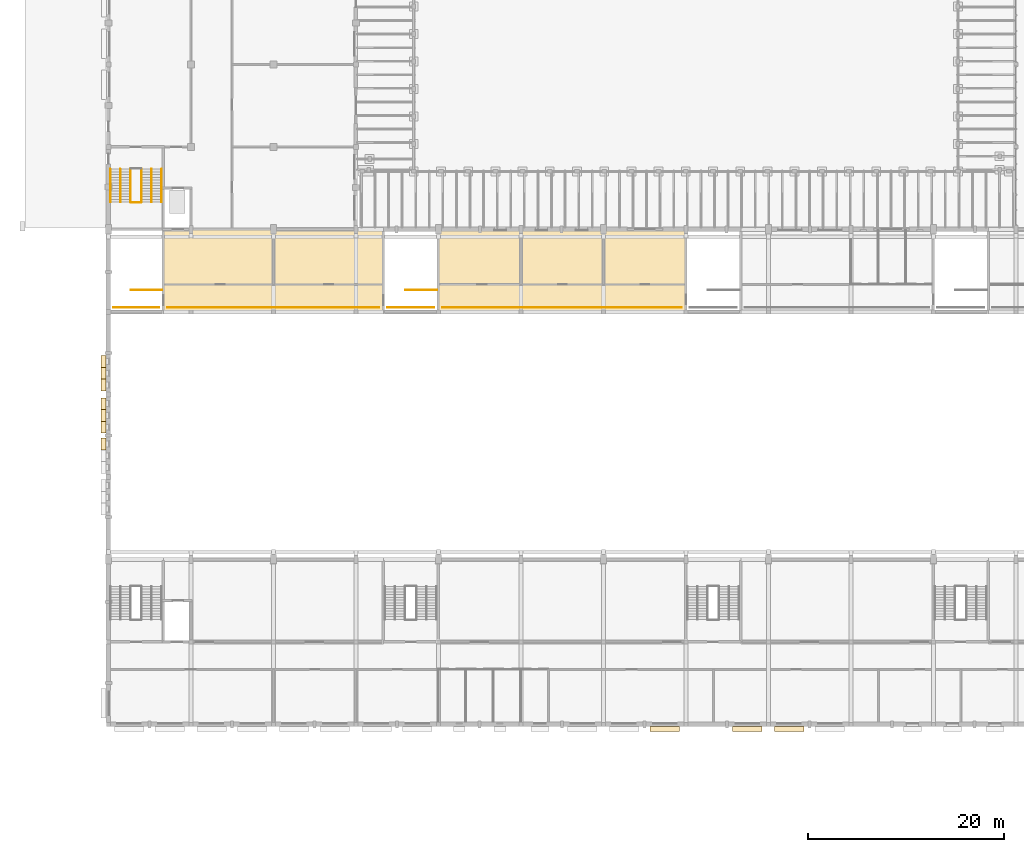
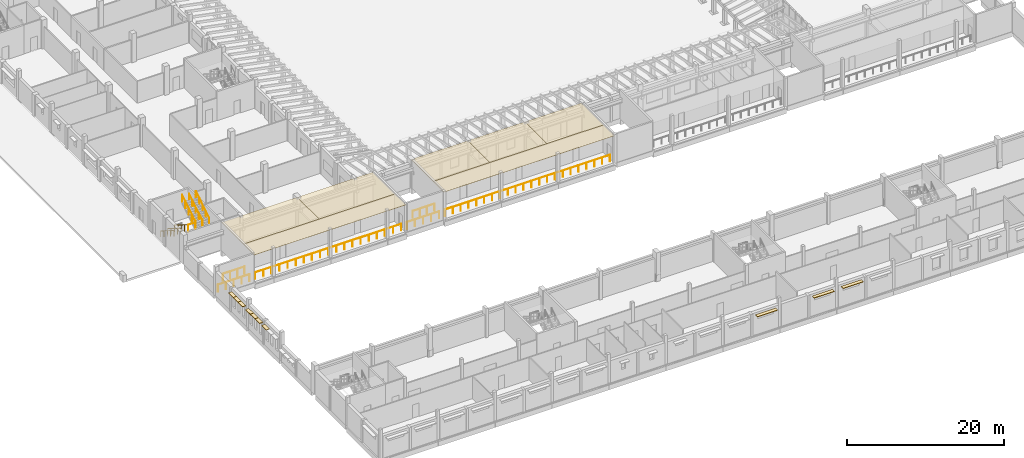
# One storey, part 52 of 60: 17 coverings, 13 railings.
"""IFC4 building model written with IfcOpenShell, lengths in metres."""

from ifc_helpers import new_model, si_unit, direction, frame, origin, origin_2d, place, context, subcontext, project, spatial, rectangle, circle, extrude, material, layer, layer_set, type_object, element, save


model = new_model("IFC4")

# Units and contexts
model_context = context("Model", 3, precision=1e-05, world=origin(), true_north=direction((0.0, 1.0)))
body_context = subcontext(model_context, "Body", "Model", "MODEL_VIEW")
ifc_project = project(units=[si_unit("LENGTHUNIT", "METRE"), si_unit("AREAUNIT", "SQUARE_METRE"), si_unit("VOLUMEUNIT", "CUBIC_METRE"), si_unit("PLANEANGLEUNIT", "RADIAN"), si_unit("MASSUNIT", "GRAM", prefix="KILO")], contexts=[model_context])

# Site, building, storey
site_placement = place(None, origin())
site = spatial("IfcSite", under=ifc_project, at=site_placement, CompositionType="ELEMENT")
building_placement = place(site_placement, origin())
building = spatial("IfcBuilding", under=site, at=building_placement, Name="Fescue Hill Polytechnic", CompositionType="ELEMENT")
storey_placement = place(building_placement, frame((0.0, 0.0, 4.5)))
storey = spatial("IfcBuildingStorey", under=building, at=storey_placement, Name="L01", CompositionType="ELEMENT", Elevation=4.5)

# Coverings
ifc_material_1 = material(Name="Precast concrete C40/50", Category="concrete")
ifc_layer = layer(ifc_material_1, 0.080078125)
ifc_layer_set = layer_set([ifc_layer], Name="Precast concrete C40/50")
covering_type = type_object("IfcCoveringType", Name="Shade blade precast 500x80", PredefinedType="CLADDING", material=ifc_layer_set)
for number, where, z_axis, x_axis, name in (
    (1, (56.675048828125, -0.489990234375, 3.050048828125), (0.0, 0.0, 1.0), (1.0, 0.0, 0.0), "SB-L01-V1-15"),
    (2, (65.074951171875, -0.489990234375, 3.050048828125), (0.0, 0.0, 1.0), (1.0, 0.0, 0.0), "SB-L01-V1-16"),
    (3, (69.324951171875, -0.489990234375, 3.050048828125), (0.0, 0.0, 1.0), (1.0, 0.0, 0.0), "SB-L01-V1-17"),
):
    element("IfcCovering", number, at=place(storey_placement, frame(where, z_axis=z_axis, x_axis=x_axis)), inside=storey, type_object=covering_type, Name=name, PredefinedType="CLADDING", context=body_context, shape_type="SweptSolid", body=[
        extrude(rectangle(XDim=3.0, YDim=0.5, at=origin_2d()), origin(), (0.0, 0.0, 1.0), 0.080078125),
    ])
for number, where, z_axis, x_axis, name in (
    (4, (-0.489990234375, 36.949951171875, 3.14990234375), (0.0, 0.0, 1.0), (0.0, -1.0, 0.0), "SB-L01-V1-28"),
    (5, (-0.489990234375, 35.75, 3.14990234375), (0.0, 0.0, 1.0), (0.0, -1.0, 0.0), "SB-L01-V1-29"),
    (6, (-0.489990234375, 34.550048828125, 3.14990234375), (0.0, 0.0, 1.0), (0.0, -1.0, 0.0), "SB-L01-V1-30"),
    (7, (-0.489990234375, 32.64990234375, 3.14990234375), (0.0, 0.0, 1.0), (0.0, -1.0, 0.0), "SB-L01-V1-31"),
    (8, (-0.489990234375, 31.449951171875, 3.14990234375), (0.0, 0.0, 1.0), (0.0, -1.0, 0.0), "SB-L01-V1-32"),
    (9, (-0.489990234375, 30.25, 3.14990234375), (0.0, 0.0, 1.0), (0.0, -1.0, 0.0), "SB-L01-V1-33"),
    (10, (-0.489990234375, 28.550048828125, 3.14990234375), (0.0, 0.0, 1.0), (0.0, -1.0, 0.0), "SB-L01-V1-34"),
):
    element("IfcCovering", number, at=place(storey_placement, frame(where, z_axis=z_axis, x_axis=x_axis)), inside=storey, type_object=covering_type, Name=name, PredefinedType="CLADDING", context=body_context, shape_type="SweptSolid", body=[
        extrude(rectangle(XDim=1.199951171875, YDim=0.5, at=origin_2d()), origin(), (0.0, 0.0, 1.0), 0.080078125),
    ])

# Railings
ifc_material_2 = material(Name="Steel 350W (350 MPa)", Category="steel")
railing_type_1 = type_object("IfcRailingType", Name="Stair guard steel 1100", PredefinedType="GUARDRAIL", material=ifc_material_2)
railing_1_placement = place(storey_placement, frame((5.47509765625, 44.22509765625, 0.0)))
element("IfcRailing", 11, at=railing_1_placement, inside=storey, type_object=railing_type_1, Name="L01 ST-V1-5 well guard 1", PredefinedType="GUARDRAIL", context=body_context, shape_type="SweptSolid", body=[
    extrude(circle(Radius=0.02392578125, at=origin_2d()), frame((0.0, 0.0, 1.076171875), z_axis=(-1.0, 0.0, 0.0), x_axis=(0.0, -1.0, 0.0)), (0.0, 0.0, 1.0), 3.175048828125),
    extrude(circle(Radius=0.02099609375, at=origin_2d()), origin(), (0.0, 0.0, 1.0), 1.052001953125),
    extrude(circle(Radius=0.02099609375, at=origin_2d()), frame((-1.058349609375, 0.0, 0.0)), (0.0, 0.0, 1.0), 1.052001953125),
    extrude(circle(Radius=0.02099609375, at=origin_2d()), frame((-2.11669921875, 0.0, 0.0)), (0.0, 0.0, 1.0), 1.052001953125),
    extrude(circle(Radius=0.02099609375, at=origin_2d()), frame((-3.175048828125, 0.0, 0.0)), (0.0, 0.0, 1.0), 1.052001953125),
])
railing_2_placement = place(storey_placement, frame((33.47509765625, 44.22509765625, 0.0)))
element("IfcRailing", 12, at=railing_2_placement, inside=storey, type_object=railing_type_1, Name="L01 ST-V1-6 well guard 1", PredefinedType="GUARDRAIL", context=body_context, shape_type="SweptSolid", body=[
    extrude(circle(Radius=0.02392578125, at=origin_2d()), frame((0.0, 0.0, 1.076171875), z_axis=(-1.0, 0.0, 0.0), x_axis=(0.0, -1.0, 0.0)), (0.0, 0.0, 1.0), 3.2001953125),
    extrude(circle(Radius=0.02099609375, at=origin_2d()), origin(), (0.0, 0.0, 1.0), 1.052001953125),
    extrude(circle(Radius=0.02099609375, at=origin_2d()), frame((-1.066650390625, 0.0, 0.0)), (0.0, 0.0, 1.0), 1.052001953125),
    extrude(circle(Radius=0.02099609375, at=origin_2d()), frame((-2.133544921875, 0.0, 0.0)), (0.0, 0.0, 1.0), 1.052001953125),
    extrude(circle(Radius=0.02099609375, at=origin_2d()), frame((-3.2001953125, 0.0, 0.0)), (0.0, 0.0, 1.0), 1.052001953125),
])
railing_3_placement = place(storey_placement, frame((2.25, 56.52490234375, 0.173095703125)))
element("IfcRailing", 13, at=railing_3_placement, inside=storey, type_object=railing_type_1, Name="L01 ST-V4-1 stair guard 1", PredefinedType="GUARDRAIL", context=body_context, shape_type="SweptSolid", body=[
    extrude(circle(Radius=0.02392578125, at=origin_2d()), frame((0.0, 0.0, 1.076171875), z_axis=(0.0, -0.850606129759, 0.525803396734), x_axis=(1.0, 0.0, 0.0)), (0.0, 0.0, 1.0), 3.949951171875),
    extrude(circle(Radius=0.02099609375, at=origin_2d()), origin(), (0.0, 0.0, 1.0), 1.052001953125),
    extrude(circle(Radius=0.02099609375, at=origin_2d()), frame((0.0, -0.83984375, 0.519287109375)), (0.0, 0.0, 1.0), 1.052001953125),
    extrude(circle(Radius=0.02099609375, at=origin_2d()), frame((0.0, -1.679931640625, 1.03857421875)), (0.0, 0.0, 1.0), 1.052001953125),
    extrude(circle(Radius=0.02099609375, at=origin_2d()), frame((0.0, -2.52001953125, 1.5576171875)), (0.0, 0.0, 1.0), 1.052001953125),
    extrude(circle(Radius=0.02099609375, at=origin_2d()), frame((0.0, -3.35986328125, 2.076904296875)), (0.0, 0.0, 1.0), 1.052001953125),
])
railing_4_placement = place(storey_placement, frame((2.300048828125, 53.114990234375, 2.25)))
element("IfcRailing", 14, at=railing_4_placement, inside=storey, type_object=railing_type_1, Name="L01 ST-V4-1 stair guard 2", PredefinedType="GUARDRAIL", context=body_context, shape_type="SweptSolid", body=[
    extrude(circle(Radius=0.02392578125, at=origin_2d()), frame((0.0, 0.0, 1.076171875), z_axis=(1.0, 0.0, 0.0), x_axis=(0.0, 1.0, 0.0)), (0.0, 0.0, 1.0), 1.02490234375),
    extrude(circle(Radius=0.02099609375, at=origin_2d()), origin(), (0.0, 0.0, 1.0), 1.052001953125),
    extrude(circle(Radius=0.02099609375, at=origin_2d()), frame((1.02490234375, 0.0, 0.0)), (0.0, 0.0, 1.0), 1.052001953125),
])
railing_5_placement = place(storey_placement, frame((3.375, 53.1650390625, 2.423095703125)))
element("IfcRailing", 15, at=railing_5_placement, inside=storey, type_object=railing_type_1, Name="L01 ST-V4-1 stair guard 3", PredefinedType="GUARDRAIL", context=body_context, shape_type="SweptSolid", body=[
    extrude(circle(Radius=0.02392578125, at=origin_2d()), frame((0.0, 0.0, 1.076171875), z_axis=(0.0, 0.850606129759, 0.525803396734), x_axis=(-1.0, 0.0, 0.0)), (0.0, 0.0, 1.0), 3.949951171875),
    extrude(circle(Radius=0.02099609375, at=origin_2d()), origin(), (0.0, 0.0, 1.0), 1.052001953125),
    extrude(circle(Radius=0.02099609375, at=origin_2d()), frame((0.0, 0.83984375, 0.519287109375)), (0.0, 0.0, 1.0), 1.052001953125),
    extrude(circle(Radius=0.02099609375, at=origin_2d()), frame((0.0, 1.679931640625, 1.03857421875)), (0.0, 0.0, 1.0), 1.052001953125),
    extrude(circle(Radius=0.02099609375, at=origin_2d()), frame((0.0, 2.52001953125, 1.5576171875)), (0.0, 0.0, 1.0), 1.052001953125),
    extrude(circle(Radius=0.02099609375, at=origin_2d()), frame((0.0, 3.35986328125, 2.076904296875)), (0.0, 0.0, 1.0), 1.052001953125),
])
railing_type_2 = type_object("IfcRailingType", Name="Stair handrail steel 900", PredefinedType="HANDRAIL", material=ifc_material_2)
railing_6_placement = place(storey_placement, frame((0.199951171875, 56.52490234375, 0.173095703125)))
element("IfcRailing", 16, at=railing_6_placement, inside=storey, type_object=railing_type_2, Name="L01 ST-V4-1 stair handrail 1", PredefinedType="HANDRAIL", context=body_context, shape_type="SweptSolid", body=[
    extrude(circle(Radius=0.02392578125, at=origin_2d()), frame((0.0, 0.0, 0.8759765625), z_axis=(0.0, -0.850606129759, 0.525803396734), x_axis=(1.0, 0.0, 0.0)), (0.0, 0.0, 1.0), 3.949951171875),
    extrude(circle(Radius=0.02099609375, at=origin_2d()), origin(), (0.0, 0.0, 1.0), 0.851806640625),
    extrude(circle(Radius=0.02099609375, at=origin_2d()), frame((0.0, -0.83984375, 0.519287109375)), (0.0, 0.0, 1.0), 0.851806640625),
    extrude(circle(Radius=0.02099609375, at=origin_2d()), frame((0.0, -1.679931640625, 1.03857421875)), (0.0, 0.0, 1.0), 0.851806640625),
    extrude(circle(Radius=0.02099609375, at=origin_2d()), frame((0.0, -2.52001953125, 1.5576171875)), (0.0, 0.0, 1.0), 0.851806640625),
    extrude(circle(Radius=0.02099609375, at=origin_2d()), frame((0.0, -3.35986328125, 2.076904296875)), (0.0, 0.0, 1.0), 0.851806640625),
])
railing_7_placement = place(storey_placement, frame((5.425048828125, 53.1650390625, 2.423095703125)))
element("IfcRailing", 17, at=railing_7_placement, inside=storey, type_object=railing_type_2, Name="L01 ST-V4-1 stair handrail 2", PredefinedType="HANDRAIL", context=body_context, shape_type="SweptSolid", body=[
    extrude(circle(Radius=0.02392578125, at=origin_2d()), frame((0.0, 0.0, 0.8759765625), z_axis=(0.0, 0.850606129759, 0.525803396734), x_axis=(-1.0, 0.0, 0.0)), (0.0, 0.0, 1.0), 3.949951171875),
    extrude(circle(Radius=0.02099609375, at=origin_2d()), origin(), (0.0, 0.0, 1.0), 0.851806640625),
    extrude(circle(Radius=0.02099609375, at=origin_2d()), frame((0.0, 0.83984375, 0.519287109375)), (0.0, 0.0, 1.0), 0.851806640625),
    extrude(circle(Radius=0.02099609375, at=origin_2d()), frame((0.0, 1.679931640625, 1.03857421875)), (0.0, 0.0, 1.0), 0.851806640625),
    extrude(circle(Radius=0.02099609375, at=origin_2d()), frame((0.0, 2.52001953125, 1.5576171875)), (0.0, 0.0, 1.0), 0.851806640625),
    extrude(circle(Radius=0.02099609375, at=origin_2d()), frame((0.0, 3.35986328125, 2.076904296875)), (0.0, 0.0, 1.0), 0.851806640625),
])
railing_8_placement = place(storey_placement, frame((1.22509765625, 56.52490234375, 0.173095703125)))
element("IfcRailing", 18, at=railing_8_placement, inside=storey, type_object=railing_type_2, Name="L01 ST-V4-1 stair handrail 3", PredefinedType="HANDRAIL", context=body_context, shape_type="SweptSolid", body=[
    extrude(circle(Radius=0.02392578125, at=origin_2d()), frame((0.0, 0.0, 0.8759765625), z_axis=(0.0, -0.850606129759, 0.525803396734), x_axis=(1.0, 0.0, 0.0)), (0.0, 0.0, 1.0), 3.949951171875),
    extrude(circle(Radius=0.02099609375, at=origin_2d()), origin(), (0.0, 0.0, 1.0), 0.851806640625),
    extrude(circle(Radius=0.02099609375, at=origin_2d()), frame((0.0, -0.83984375, 0.519287109375)), (0.0, 0.0, 1.0), 0.851806640625),
    extrude(circle(Radius=0.02099609375, at=origin_2d()), frame((0.0, -1.679931640625, 1.03857421875)), (0.0, 0.0, 1.0), 0.851806640625),
    extrude(circle(Radius=0.02099609375, at=origin_2d()), frame((0.0, -2.52001953125, 1.5576171875)), (0.0, 0.0, 1.0), 0.851806640625),
    extrude(circle(Radius=0.02099609375, at=origin_2d()), frame((0.0, -3.35986328125, 2.076904296875)), (0.0, 0.0, 1.0), 0.851806640625),
])
railing_9_placement = place(storey_placement, frame((4.39990234375, 53.1650390625, 2.423095703125)))
element("IfcRailing", 19, at=railing_9_placement, inside=storey, type_object=railing_type_2, Name="L01 ST-V4-1 stair handrail 4", PredefinedType="HANDRAIL", context=body_context, shape_type="SweptSolid", body=[
    extrude(circle(Radius=0.02392578125, at=origin_2d()), frame((0.0, 0.0, 0.8759765625), z_axis=(0.0, 0.850606129759, 0.525803396734), x_axis=(-1.0, 0.0, 0.0)), (0.0, 0.0, 1.0), 3.949951171875),
    extrude(circle(Radius=0.02099609375, at=origin_2d()), origin(), (0.0, 0.0, 1.0), 0.851806640625),
    extrude(circle(Radius=0.02099609375, at=origin_2d()), frame((0.0, 0.83984375, 0.519287109375)), (0.0, 0.0, 1.0), 0.851806640625),
    extrude(circle(Radius=0.02099609375, at=origin_2d()), frame((0.0, 1.679931640625, 1.03857421875)), (0.0, 0.0, 1.0), 0.851806640625),
    extrude(circle(Radius=0.02099609375, at=origin_2d()), frame((0.0, 2.52001953125, 1.5576171875)), (0.0, 0.0, 1.0), 0.851806640625),
    extrude(circle(Radius=0.02099609375, at=origin_2d()), frame((0.0, 3.35986328125, 2.076904296875)), (0.0, 0.0, 1.0), 0.851806640625),
])
railing_type_3 = type_object("IfcRailingType", Name="Void edge guard steel 1100", PredefinedType="GUARDRAIL", material=ifc_material_2)
railing_10_placement = place(storey_placement, frame((0.5400390625, 42.449951171875, 0.0)))
element("IfcRailing", 20, at=railing_10_placement, inside=storey, type_object=railing_type_3, Name="L01 V1 void edge guard 7", PredefinedType="GUARDRAIL", context=body_context, shape_type="SweptSolid", body=[
    extrude(circle(Radius=0.02392578125, at=origin_2d()), frame((0.0, 0.0, 1.076171875), z_axis=(1.0, 0.0, 0.0), x_axis=(0.0, 1.0, 0.0)), (0.0, 0.0, 1.0), 4.635009765625),
    extrude(circle(Radius=0.02099609375, at=origin_2d()), origin(), (0.0, 0.0, 1.0), 1.052001953125),
    extrude(circle(Radius=0.02099609375, at=origin_2d()), frame((1.15869140625, 0.0, 0.0)), (0.0, 0.0, 1.0), 1.052001953125),
    extrude(circle(Radius=0.02099609375, at=origin_2d()), frame((2.3173828125, 0.0, 0.0)), (0.0, 0.0, 1.0), 1.052001953125),
    extrude(circle(Radius=0.02099609375, at=origin_2d()), frame((3.476318359375, 0.0, 0.0)), (0.0, 0.0, 1.0), 1.052001953125),
    extrude(circle(Radius=0.02099609375, at=origin_2d()), frame((4.635009765625, 0.0, 0.0)), (0.0, 0.0, 1.0), 1.052001953125),
])
railing_11_placement = place(storey_placement, frame((6.02490234375, 42.449951171875, 0.0)))
element("IfcRailing", 21, at=railing_11_placement, inside=storey, type_object=railing_type_3, Name="L01 V1 void edge guard 8", PredefinedType="GUARDRAIL", context=body_context, shape_type="SweptSolid", body=[
    extrude(circle(Radius=0.02392578125, at=origin_2d()), frame((0.0, 0.0, 1.076171875), z_axis=(1.0, 0.0, 0.0), x_axis=(0.0, 1.0, 0.0)), (0.0, 0.0, 1.0), 21.550048828125),
    extrude(circle(Radius=0.02099609375, at=origin_2d()), origin(), (0.0, 0.0, 1.0), 1.052001953125),
    extrude(circle(Radius=0.02099609375, at=origin_2d()), frame((1.197265625, 0.0, 0.0)), (0.0, 0.0, 1.0), 1.052001953125),
    extrude(circle(Radius=0.02099609375, at=origin_2d()), frame((2.39453125, 0.0, 0.0)), (0.0, 0.0, 1.0), 1.052001953125),
    extrude(circle(Radius=0.02099609375, at=origin_2d()), frame((3.591796875, 0.0, 0.0)), (0.0, 0.0, 1.0), 1.052001953125),
    extrude(circle(Radius=0.02099609375, at=origin_2d()), frame((4.788818359375, 0.0, 0.0)), (0.0, 0.0, 1.0), 1.052001953125),
    extrude(circle(Radius=0.02099609375, at=origin_2d()), frame((5.986083984375, 0.0, 0.0)), (0.0, 0.0, 1.0), 1.052001953125),
    extrude(circle(Radius=0.02099609375, at=origin_2d()), frame((7.183349609375, 0.0, 0.0)), (0.0, 0.0, 1.0), 1.052001953125),
    extrude(circle(Radius=0.02099609375, at=origin_2d()), frame((8.380615234375, 0.0, 0.0)), (0.0, 0.0, 1.0), 1.052001953125),
    extrude(circle(Radius=0.02099609375, at=origin_2d()), frame((9.577880859375, 0.0, 0.0)), (0.0, 0.0, 1.0), 1.052001953125),
    extrude(circle(Radius=0.02099609375, at=origin_2d()), frame((10.77490234375, 0.0, 0.0)), (0.0, 0.0, 1.0), 1.052001953125),
    extrude(circle(Radius=0.02099609375, at=origin_2d()), frame((11.97216796875, 0.0, 0.0)), (0.0, 0.0, 1.0), 1.052001953125),
    extrude(circle(Radius=0.02099609375, at=origin_2d()), frame((13.16943359375, 0.0, 0.0)), (0.0, 0.0, 1.0), 1.052001953125),
    extrude(circle(Radius=0.02099609375, at=origin_2d()), frame((14.36669921875, 0.0, 0.0)), (0.0, 0.0, 1.0), 1.052001953125),
    extrude(circle(Radius=0.02099609375, at=origin_2d()), frame((15.56396484375, 0.0, 0.0)), (0.0, 0.0, 1.0), 1.052001953125),
    extrude(circle(Radius=0.02099609375, at=origin_2d()), frame((16.76123046875, 0.0, 0.0)), (0.0, 0.0, 1.0), 1.052001953125),
    extrude(circle(Radius=0.02099609375, at=origin_2d()), frame((17.95849609375, 0.0, 0.0)), (0.0, 0.0, 1.0), 1.052001953125),
    extrude(circle(Radius=0.02099609375, at=origin_2d()), frame((19.155517578125, 0.0, 0.0)), (0.0, 0.0, 1.0), 1.052001953125),
    extrude(circle(Radius=0.02099609375, at=origin_2d()), frame((20.352783203125, 0.0, 0.0)), (0.0, 0.0, 1.0), 1.052001953125),
    extrude(circle(Radius=0.02099609375, at=origin_2d()), frame((21.550048828125, 0.0, 0.0)), (0.0, 0.0, 1.0), 1.052001953125),
])
railing_12_placement = place(storey_placement, frame((28.425048828125, 42.449951171875, 0.0)))
element("IfcRailing", 22, at=railing_12_placement, inside=storey, type_object=railing_type_3, Name="L01 V1 void edge guard 9", PredefinedType="GUARDRAIL", context=body_context, shape_type="SweptSolid", body=[
    extrude(circle(Radius=0.02392578125, at=origin_2d()), frame((0.0, 0.0, 1.076171875), z_axis=(1.0, 0.0, 0.0), x_axis=(0.0, 1.0, 0.0)), (0.0, 0.0, 1.0), 4.75),
    extrude(circle(Radius=0.02099609375, at=origin_2d()), origin(), (0.0, 0.0, 1.0), 1.052001953125),
    extrude(circle(Radius=0.02099609375, at=origin_2d()), frame((1.1875, 0.0, 0.0)), (0.0, 0.0, 1.0), 1.052001953125),
    extrude(circle(Radius=0.02099609375, at=origin_2d()), frame((2.375, 0.0, 0.0)), (0.0, 0.0, 1.0), 1.052001953125),
    extrude(circle(Radius=0.02099609375, at=origin_2d()), frame((3.5625, 0.0, 0.0)), (0.0, 0.0, 1.0), 1.052001953125),
    extrude(circle(Radius=0.02099609375, at=origin_2d()), frame((4.75, 0.0, 0.0)), (0.0, 0.0, 1.0), 1.052001953125),
])
railing_13_placement = place(storey_placement, frame((34.02490234375, 42.449951171875, 0.0)))
element("IfcRailing", 23, at=railing_13_placement, inside=storey, type_object=railing_type_3, Name="L01 V1 void edge guard 10", PredefinedType="GUARDRAIL", context=body_context, shape_type="SweptSolid", body=[
    extrude(circle(Radius=0.02392578125, at=origin_2d()), frame((0.0, 0.0, 1.076171875), z_axis=(1.0, 0.0, 0.0), x_axis=(0.0, 1.0, 0.0)), (0.0, 0.0, 1.0), 24.35009765625),
    extrude(circle(Radius=0.02099609375, at=origin_2d()), origin(), (0.0, 0.0, 1.0), 1.052001953125),
    extrude(circle(Radius=0.02099609375, at=origin_2d()), frame((1.159423828125, 0.0, 0.0)), (0.0, 0.0, 1.0), 1.052001953125),
    extrude(circle(Radius=0.02099609375, at=origin_2d()), frame((2.319091796875, 0.0, 0.0)), (0.0, 0.0, 1.0), 1.052001953125),
    extrude(circle(Radius=0.02099609375, at=origin_2d()), frame((3.478515625, 0.0, 0.0)), (0.0, 0.0, 1.0), 1.052001953125),
    extrude(circle(Radius=0.02099609375, at=origin_2d()), frame((4.63818359375, 0.0, 0.0)), (0.0, 0.0, 1.0), 1.052001953125),
    extrude(circle(Radius=0.02099609375, at=origin_2d()), frame((5.797607421875, 0.0, 0.0)), (0.0, 0.0, 1.0), 1.052001953125),
    extrude(circle(Radius=0.02099609375, at=origin_2d()), frame((6.957275390625, 0.0, 0.0)), (0.0, 0.0, 1.0), 1.052001953125),
    extrude(circle(Radius=0.02099609375, at=origin_2d()), frame((8.11669921875, 0.0, 0.0)), (0.0, 0.0, 1.0), 1.052001953125),
    extrude(circle(Radius=0.02099609375, at=origin_2d()), frame((9.276123046875, 0.0, 0.0)), (0.0, 0.0, 1.0), 1.052001953125),
    extrude(circle(Radius=0.02099609375, at=origin_2d()), frame((10.435791015625, 0.0, 0.0)), (0.0, 0.0, 1.0), 1.052001953125),
    extrude(circle(Radius=0.02099609375, at=origin_2d()), frame((11.59521484375, 0.0, 0.0)), (0.0, 0.0, 1.0), 1.052001953125),
    extrude(circle(Radius=0.02099609375, at=origin_2d()), frame((12.7548828125, 0.0, 0.0)), (0.0, 0.0, 1.0), 1.052001953125),
    extrude(circle(Radius=0.02099609375, at=origin_2d()), frame((13.914306640625, 0.0, 0.0)), (0.0, 0.0, 1.0), 1.052001953125),
    extrude(circle(Radius=0.02099609375, at=origin_2d()), frame((15.073974609375, 0.0, 0.0)), (0.0, 0.0, 1.0), 1.052001953125),
    extrude(circle(Radius=0.02099609375, at=origin_2d()), frame((16.2333984375, 0.0, 0.0)), (0.0, 0.0, 1.0), 1.052001953125),
    extrude(circle(Radius=0.02099609375, at=origin_2d()), frame((17.392822265625, 0.0, 0.0)), (0.0, 0.0, 1.0), 1.052001953125),
    extrude(circle(Radius=0.02099609375, at=origin_2d()), frame((18.552490234375, 0.0, 0.0)), (0.0, 0.0, 1.0), 1.052001953125),
    extrude(circle(Radius=0.02099609375, at=origin_2d()), frame((19.7119140625, 0.0, 0.0)), (0.0, 0.0, 1.0), 1.052001953125),
    extrude(circle(Radius=0.02099609375, at=origin_2d()), frame((20.87158203125, 0.0, 0.0)), (0.0, 0.0, 1.0), 1.052001953125),
    extrude(circle(Radius=0.02099609375, at=origin_2d()), frame((22.031005859375, 0.0, 0.0)), (0.0, 0.0, 1.0), 1.052001953125),
    extrude(circle(Radius=0.02099609375, at=origin_2d()), frame((23.190673828125, 0.0, 0.0)), (0.0, 0.0, 1.0), 1.052001953125),
    extrude(circle(Radius=0.02099609375, at=origin_2d()), frame((24.35009765625, 0.0, 0.0)), (0.0, 0.0, 1.0), 1.052001953125),
])

# Coverings
covering_1_placement = place(storey_placement, frame((16.800048828125, 43.39990234375, 4.14990234375), z_axis=(0.0, 0.0, 1.0), x_axis=(1.0, 0.0, 0.0)))
element("IfcCovering", 24, at=covering_1_placement, inside=storey, Name="Ceiling Gallery Walk Corridor 1.31", PredefinedType="CEILING", context=body_context, shape_type="SweptSolid", body=[
    extrude(rectangle(XDim=22.39990234375, YDim=2.800048828125, at=origin_2d()), origin(), (0.0, 0.0, 1.0), 0.0400390625),
])
covering_2_placement = place(storey_placement, frame((46.199951171875, 43.39990234375, 4.14990234375), z_axis=(0.0, 0.0, 1.0), x_axis=(1.0, 0.0, 0.0)))
element("IfcCovering", 25, at=covering_2_placement, inside=storey, Name="Ceiling Gallery Walk Corridor 1.32", PredefinedType="CEILING", context=body_context, shape_type="SweptSolid", body=[
    extrude(rectangle(XDim=25.199951171875, YDim=2.800048828125, at=origin_2d()), origin(), (0.0, 0.0, 1.0), 0.0400390625),
])
for number, where, z_axis, x_axis, name in (
    (26, (11.199951171875, 47.60009765625, 4.14990234375), (0.0, 0.0, 1.0), (1.0, 0.0, 0.0), "Ceiling Design Studio 1.35"),
    (27, (22.39990234375, 47.60009765625, 4.14990234375), (0.0, 0.0, 1.0), (1.0, 0.0, 0.0), "Ceiling Seminar Room 1.36"),
):
    element("IfcCovering", number, at=place(storey_placement, frame(where, z_axis=z_axis, x_axis=x_axis)), inside=storey, Name=name, PredefinedType="CEILING", context=body_context, shape_type="SweptSolid", body=[
        extrude(rectangle(XDim=11.199951171875, YDim=5.60009765625, at=origin_2d()), origin(), (0.0, 0.0, 1.0), 0.0400390625),
    ])
for number, where, z_axis, x_axis, name in (
    (28, (37.800048828125, 47.60009765625, 4.14990234375), (0.0, 0.0, 1.0), (1.0, 0.0, 0.0), "Ceiling Workshop Office 1.37"),
    (29, (46.199951171875, 47.60009765625, 4.14990234375), (0.0, 0.0, 1.0), (1.0, 0.0, 0.0), "Ceiling Staff Room 1.38"),
    (30, (54.60009765625, 47.60009765625, 4.14990234375), (0.0, 0.0, 1.0), (1.0, 0.0, 0.0), "Ceiling Design Studio 1.39"),
):
    element("IfcCovering", number, at=place(storey_placement, frame(where, z_axis=z_axis, x_axis=x_axis)), inside=storey, Name=name, PredefinedType="CEILING", context=body_context, shape_type="SweptSolid", body=[
        extrude(rectangle(XDim=8.39990234375, YDim=5.60009765625, at=origin_2d()), origin(), (0.0, 0.0, 1.0), 0.0400390625),
    ])

save(model, "model.ifc")
